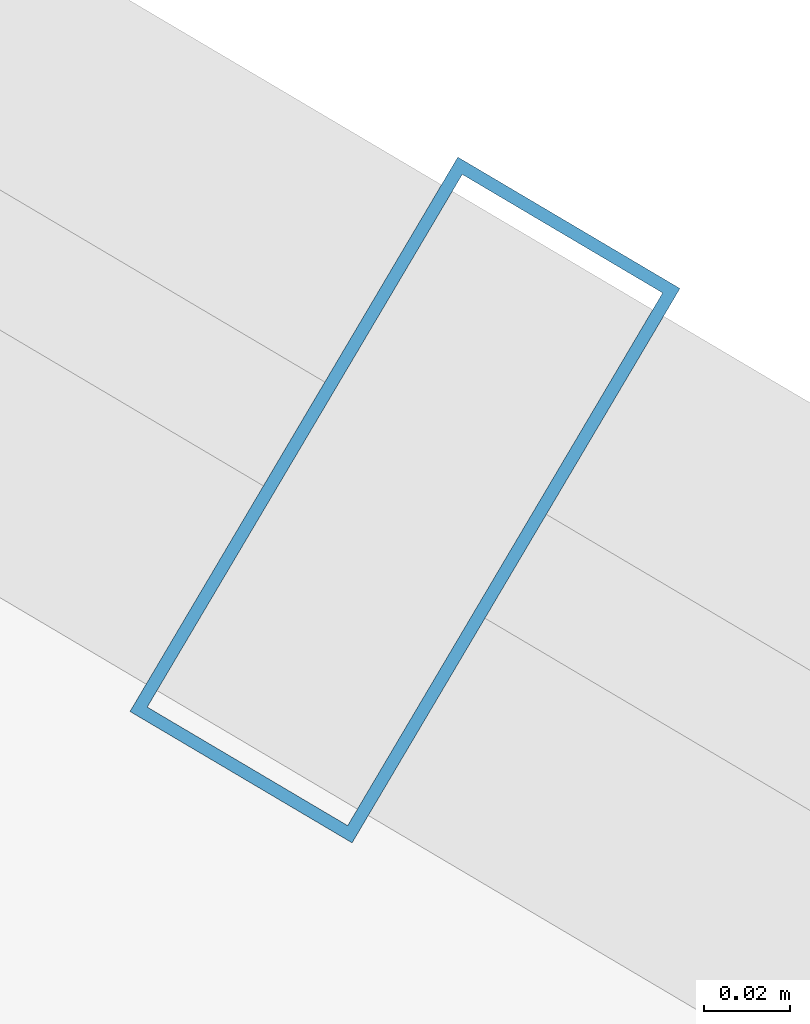
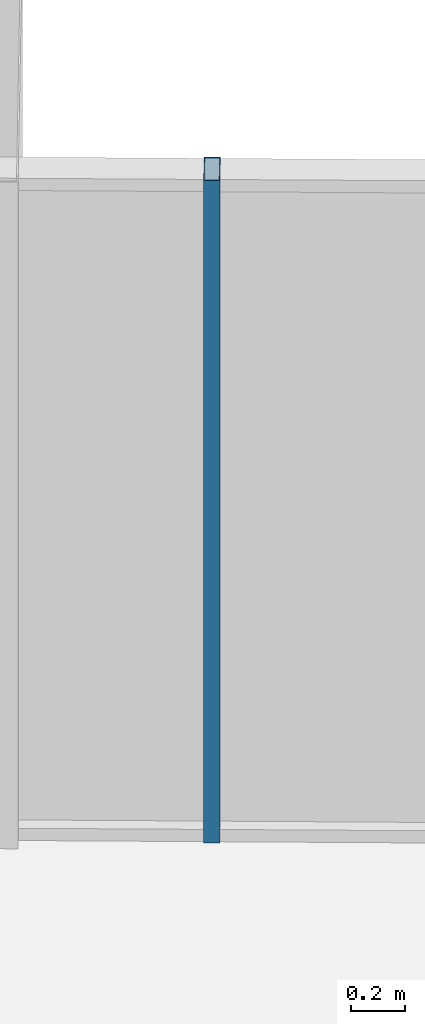
# One storey, part 24 of 30: 1 member, 1 element without a shape of its own.
"""IFC4 building model written with IfcOpenShell, lengths in metres."""

from ifc_helpers import new_model, si_unit, direction, frame, origin, origin_2d, place, context, subcontext, project, spatial, hollow_rectangle, extrude, source, transform, mapped, material, layer, layer_set, material_profile, profile_set, type_object, element, aggregate, save


model = new_model("IFC4")

# Units and contexts
model_context = context("Model", 3, precision=1e-05, world=origin(), true_north=direction((0.0, 1.0)))
body_context = subcontext(model_context, "Body", "Model", "MODEL_VIEW")
ifc_project = project(units=[si_unit("LENGTHUNIT", "METRE"), si_unit("AREAUNIT", "SQUARE_METRE"), si_unit("VOLUMEUNIT", "CUBIC_METRE"), si_unit("PLANEANGLEUNIT", "RADIAN"), si_unit("MASSUNIT", "GRAM", prefix="KILO")], contexts=[model_context])

# Site, building, storey
site_placement = place(None, origin())
site = spatial("IfcSite", under=ifc_project, at=site_placement, CompositionType="ELEMENT")
building_placement = place(site_placement, origin())
building = spatial("IfcBuilding", under=site, at=building_placement, Name="Veraguas Prism Commons", CompositionType="ELEMENT")
storey_placement = place(building_placement, frame((0.0, 0.0, 208.10009765625)))
storey = spatial("IfcBuildingStorey", under=building, at=storey_placement, Name="L59", CompositionType="ELEMENT", Elevation=208.10009765625)

# Curtain wall, member
ifc_material = material(Name="Anodised aluminium EN AW-6063 T6", Category="aluminium")
ifc_layer = layer(ifc_material, 0.14990234375, Name="Unitised Flush Curtain Wall Zone 3", Category="aluminium")
ifc_layer_set = layer_set([ifc_layer], Name="Anodised aluminium EN AW-6063 T6")
curtain_wall_type = type_object("IfcCurtainWallType", Name="Unitised Flush Curtain Wall Zone 3", PredefinedType="NOTDEFINED", material=ifc_layer_set)
curtain_wall_placement = place(storey_placement, origin())
curtain_wall = element("IfcCurtainWall", 1, at=curtain_wall_placement, inside=storey, type_object=curtain_wall_type, Name="Tower Facade Curtain Wall L59-F1", PredefinedType="NOTDEFINED")
ifc_material_profile = material_profile(ifc_material, hollow_rectangle(XDim=0.06005859375, YDim=0.14990234375, WallThickness=0.0029296875, at=origin_2d()), Name="AL60X150X3")
ifc_profile_set = profile_set([ifc_material_profile], Name="Anodised aluminium EN AW-6063 T6")
member_type = type_object("IfcMemberType", Name="Curtain Wall Mullion Upper AL 60x150x3", PredefinedType="MULLION", material=ifc_profile_set)
shared_shape = source(origin(), body_context, "Body", "SweptSolid", [
    extrude(hollow_rectangle(XDim=0.06005859375, YDim=0.14990234375, WallThickness=0.0029296875, at=origin_2d()), origin(), (0.0, 0.0, 1.0), 2.969970703125),
])
member_placement = place(storey_placement, frame((36.437255859375, 37.22021484375, 0.0), z_axis=(0.0, 0.0, 1.0), x_axis=(-0.860741138558, 0.509042918028, 0.0)))
member = element("IfcMember", 2, at=member_placement, type_object=member_type, Name="CW-Z3 Mullion 2", PredefinedType="MULLION", context=body_context, shape_type="MappedRepresentation", body=[
    mapped(shared_shape, transform((0.0, 0.0, 0.0), scale=1.0)),
])
aggregate(curtain_wall, [member])

save(model, "model.ifc")
